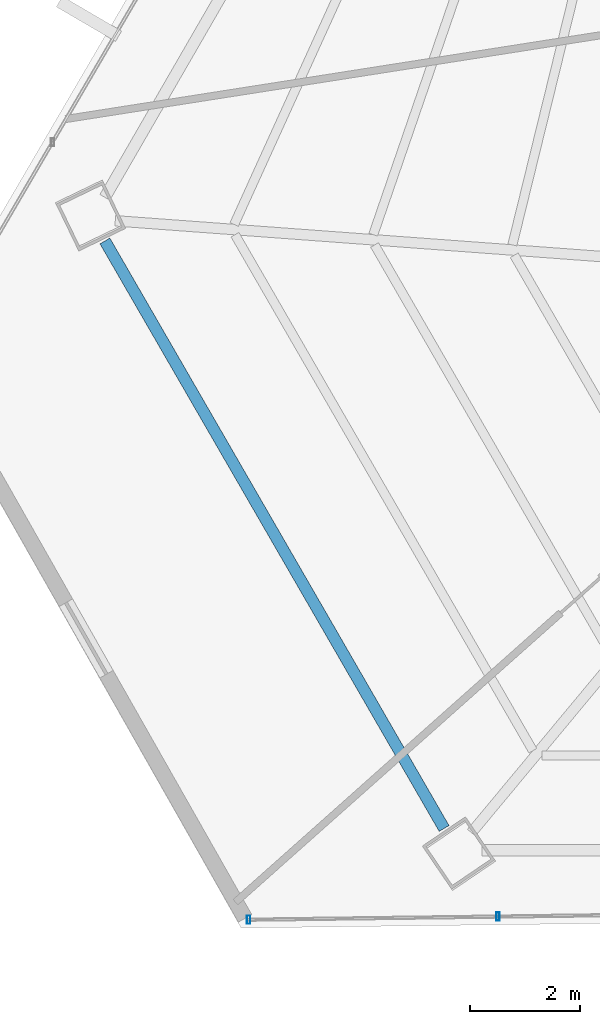
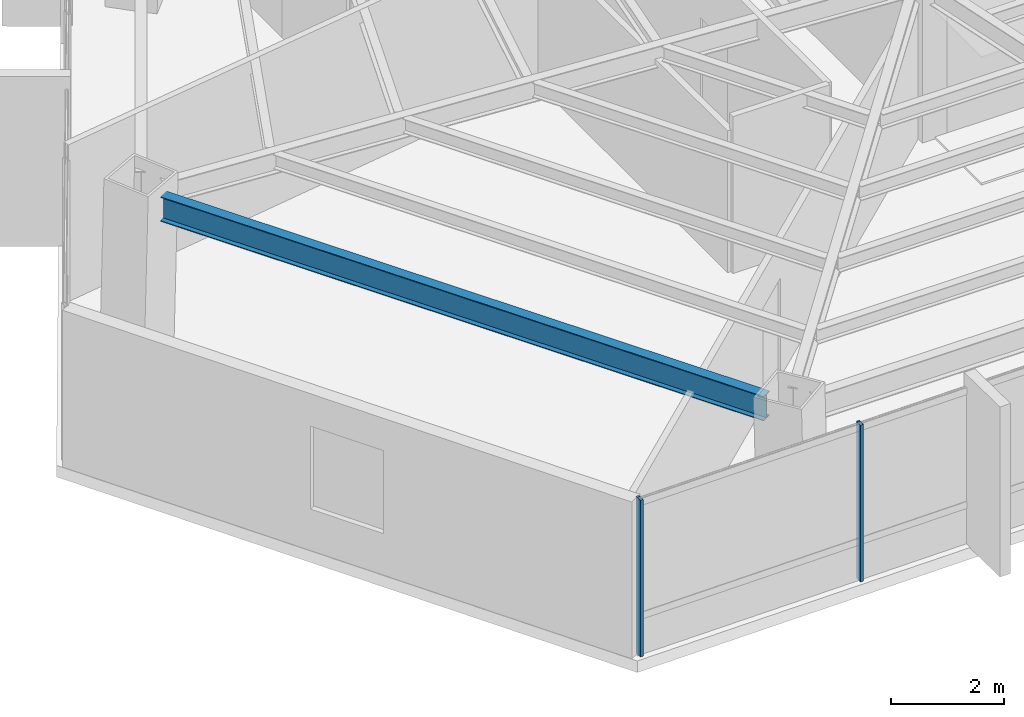
# One storey, part 2 of 41: 2 members, 1 beam, 1 element without a shape of its own.
"""IFC4 building model written with IfcOpenShell, lengths in metres."""

from ifc_helpers import new_model, si_unit, direction, frame, origin, origin_2d, place, context, subcontext, project, spatial, hollow_rectangle, i_section, extrude, source, transform, mapped, material, material_profile, profile_set, type_object, type_shapes, element, aggregate, save


model = new_model("IFC4")

# Units and contexts
model_context = context("Model", 3, precision=1e-05, world=origin(), true_north=direction((0.0, 1.0)))
body_context = subcontext(model_context, "Body", "Model", "MODEL_VIEW")
ifc_project = project(units=[si_unit("LENGTHUNIT", "METRE"), si_unit("AREAUNIT", "SQUARE_METRE"), si_unit("VOLUMEUNIT", "CUBIC_METRE"), si_unit("PLANEANGLEUNIT", "RADIAN"), si_unit("MASSUNIT", "GRAM", prefix="KILO")], contexts=[model_context])

# Site, building, storey
site_placement = place(None, origin())
site = spatial("IfcSite", under=ifc_project, at=site_placement, CompositionType="ELEMENT")
building_placement = place(site_placement, origin())
building = spatial("IfcBuilding", under=site, at=building_placement, Name="Caelisora Broadcast Tower", CompositionType="ELEMENT")
storey_placement = place(building_placement, frame((0.0, 0.0, 135.449951171875)))
storey = spatial("IfcBuildingStorey", under=building, at=storey_placement, Name="L35", CompositionType="ELEMENT", Elevation=135.449951171875)

# Beam
ifc_material_1 = material(Name="Steel Grade 350 (AS/NZS 3679.1)", Category="steel")
ifc_material_profile_1 = material_profile(ifc_material_1, i_section(OverallWidth=0.208984375, OverallDepth=0.532958984375, WebThickness=0.01025390625, FlangeThickness=0.015625, at=origin_2d()), Name="Steel Grade 350 (AS/NZS 3679.1)")
ifc_profile_set_1 = profile_set([ifc_material_profile_1], Name="Steel Grade 350 (AS/NZS 3679.1)")
beam_type = type_object("IfcBeamType", Name="PG05", PredefinedType="BEAM", material=ifc_profile_set_1)
shared_shape_1 = source(origin(), body_context, "Body", "SweptSolid", [
    extrude(i_section(OverallWidth=0.208984375, OverallDepth=0.532958984375, WebThickness=0.01025390625, FlangeThickness=0.015625, at=origin_2d()), origin(), (0.0, 0.0, 1.0), 12.3759765625),
])
type_shapes(beam_type, [shared_shape_1])
beam_placement = place(storey_placement, frame((15.447998046875, 18.124755859375, 3.133544921875), z_axis=(0.5000047816, -0.866022643109, 0.0), x_axis=(0.866022643109, 0.5000047816, 0.0)))
element("IfcBeam", 1, at=beam_placement, inside=storey, type_object=beam_type, Name="L35 beam PG05", PredefinedType="BEAM", context=body_context, shape_type="MappedRepresentation", body=[
    mapped(shared_shape_1, transform((0.0, 0.0, 0.0), scale=1.0)),
])

# Curtain wall, members
ifc_material_2 = material(Name="Unitised Aluminium and Low-E Glass Curtain Wall", Category="glass")
curtain_wall_type = type_object("IfcCurtainWallType", Name="CW-Z3", PredefinedType="NOTDEFINED", material=ifc_material_2)
curtain_wall_placement = place(storey_placement, origin())
curtain_wall = element("IfcCurtainWall", 2, at=curtain_wall_placement, inside=storey, type_object=curtain_wall_type, Name="L35 curtain wall CW-Z3", PredefinedType="NOTDEFINED")
ifc_material_3 = material(Name="Aluminium 6063-T6 Anodised Terracotta Bronze", Category="aluminium")
ifc_material_profile_2 = material_profile(ifc_material_3, hollow_rectangle(XDim=0.06005859375, YDim=0.14990234375, WallThickness=0.00341796875, at=origin_2d()), Name="Aluminium 6063-T6 Anodised Terracotta Bronze")
ifc_profile_set_2 = profile_set([ifc_material_profile_2], Name="Aluminium 6063-T6 Anodised Terracotta Bronze")
member_type = type_object("IfcMemberType", Name="CWM-03", PredefinedType="MULLION", material=ifc_profile_set_2)
shared_shape_2 = source(origin(), body_context, "Body", "SweptSolid", [
    extrude(hollow_rectangle(XDim=0.06005859375, YDim=0.14990234375, WallThickness=0.00341796875, at=origin_2d()), origin(), (0.0, 0.0, 1.0), 3.400146484375),
])
type_shapes(member_type, [shared_shape_2])
member_1_placement = place(storey_placement, frame((22.61962890625, 5.800048828125, 0.0), z_axis=(0.0, 0.0, 1.0), x_axis=(1.0, 0.0, 0.0)))
member_1 = element("IfcMember", 3, at=member_1_placement, type_object=member_type, Name="L35-CW-B07 mullion #2", PredefinedType="MULLION", context=body_context, shape_type="MappedRepresentation", body=[
    mapped(shared_shape_2, transform((0.0, 0.0, 0.0), scale=1.0)),
])
member_2_placement = place(storey_placement, frame((18.069091796875, 5.74267578125, 0.0), z_axis=(0.0, 0.0, 1.0), x_axis=(1.0, 0.0, 0.0)))
member_2 = element("IfcMember", 4, at=member_2_placement, type_object=member_type, Name="L35-CW-B07 mullion #3", PredefinedType="MULLION", context=body_context, shape_type="MappedRepresentation", body=[
    mapped(shared_shape_2, transform((0.0, 0.0, 0.0), scale=1.0)),
])
aggregate(curtain_wall, [member_1, member_2])

save(model, "model.ifc")
